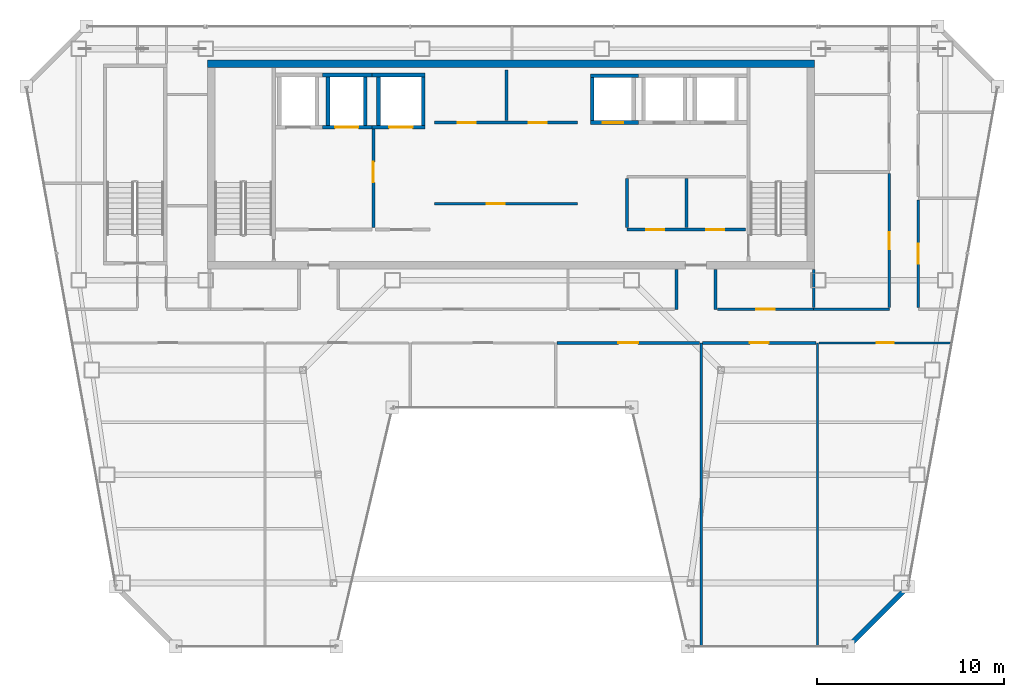
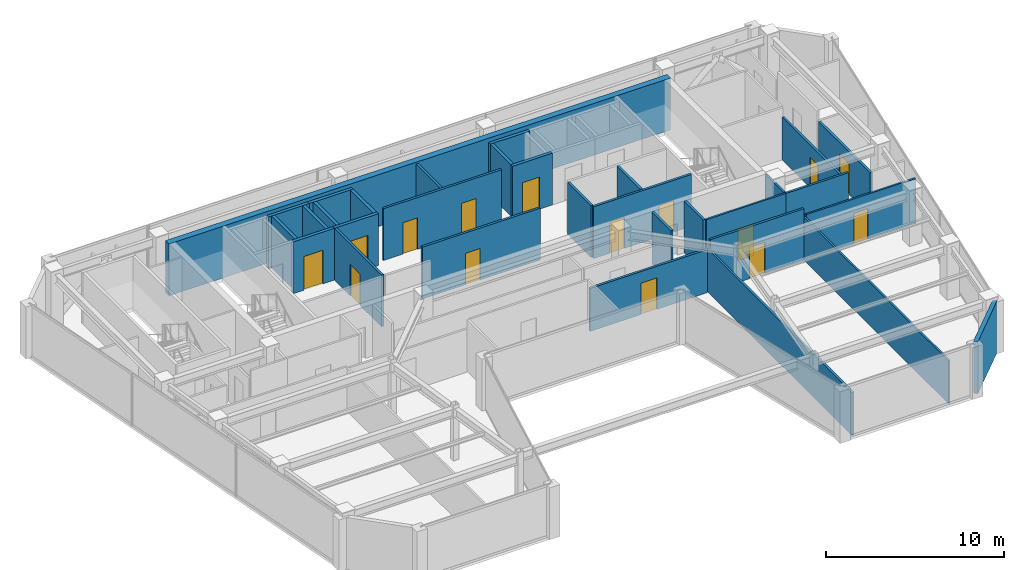
# One storey, part 28 of 32: 32 walls, 15 doors, 15 openings.
"""IFC4 building model written with IfcOpenShell, lengths in metres."""

from ifc_helpers import new_model, si_unit, direction, frame, frame_2d, origin, place, context, subcontext, project, spatial, rectangle, extrude, material, layer, layer_set, type_object, element, fill, save


model = new_model("IFC4")

# Units and contexts
model_context = context("Model", 3, precision=1e-05, world=origin(), true_north=direction((0.0, 1.0)))
body_context = subcontext(model_context, "Body", "Model", "MODEL_VIEW")
ifc_project = project(units=[si_unit("LENGTHUNIT", "METRE"), si_unit("AREAUNIT", "SQUARE_METRE"), si_unit("VOLUMEUNIT", "CUBIC_METRE"), si_unit("PLANEANGLEUNIT", "RADIAN"), si_unit("MASSUNIT", "GRAM", prefix="KILO")], contexts=[model_context])

# Site, building, storey
site_placement = place(None, origin())
site = spatial("IfcSite", under=ifc_project, at=site_placement, CompositionType="ELEMENT")
building_placement = place(site_placement, origin())
building = spatial("IfcBuilding", under=site, at=building_placement, Name="Saevonmaru Cultural Tower", CompositionType="ELEMENT")
storey_placement = place(building_placement, frame((0.0, 0.0, 257.199951171875)))
storey = spatial("IfcBuildingStorey", under=building, at=storey_placement, Name="L60", CompositionType="ELEMENT", Elevation=257.199951171875)

# Wall
ifc_material_1 = material(Name="Concrete C50/60", Category="concrete")
ifc_layer_1 = layer(ifc_material_1, 0.39990234375, Name="Concrete C50/60")
ifc_layer_set_1 = layer_set([ifc_layer_1], Name="Concrete C50/60")
wall_type_1 = type_object("IfcWallType", Name="WL-CORE-400", PredefinedType="SHEAR", material=ifc_layer_set_1)
wall_1_placement = place(storey_placement, frame((13.699951171875, 54.0, 0.0), z_axis=(0.0, 0.0, 1.0), x_axis=(1.0, 0.0, 0.0)))
element("IfcWall", 1, at=wall_1_placement, inside=storey, type_object=wall_type_1, Name="L60 Tower RC core shear wall N", PredefinedType="SHEAR", context=body_context, shape_type="SweptSolid", body=[
    extrude(rectangle(XDim=32.5, YDim=0.39990234375, at=frame_2d((16.25, 0.0))), origin(), (0.0, 0.0, 1.0), 3.550048828125),
])

# Wall, opening, door
ifc_material_2 = material(Name="Gypsum Fireboard Partition", Category="gypsum")
ifc_layer_2 = layer(ifc_material_2, 0.14990234375, Name="Gypsum Fireboard Partition")
ifc_layer_set_2 = layer_set([ifc_layer_2], Name="Gypsum Fireboard Partition")
wall_type_2 = type_object("IfcWallType", Name="WL-CORE-PART-150", PredefinedType="PARTITIONING", material=ifc_layer_set_2)
wall_2_placement = place(storey_placement, frame((22.580078125, 50.550048828125, 0.0), z_axis=(0.0, 0.0, 1.0), x_axis=(0.0, -1.0, 0.0)))
wall_2 = element("IfcWall", 2, at=wall_2_placement, inside=storey, type_object=wall_type_2, Name="L60 Firefighting Lift Lobby East Wall", PredefinedType="PARTITIONING", context=body_context, shape_type="SweptSolid", body=[
    extrude(rectangle(XDim=5.330078125, YDim=0.14990234375, at=frame_2d((2.6650390625, 0.0))), origin(), (0.0, 0.0, 1.0), 3.550048828125),
])
opening_1_placement = place(wall_2_placement, frame((1.800048828125, 0.0, 0.0)))
opening_1 = element("IfcOpeningElement", 3, at=opening_1_placement, cuts=wall_2, Name="Opening FD-2", PredefinedType="OPENING", context=body_context, shape_type="SweptSolid", body=[
    extrude(rectangle(XDim=1.10009765625, YDim=2.14990234375, at=frame_2d((0.550048828125, 1.074951171875))), frame((0.0, 0.0849609375, 0.0), z_axis=(0.0, -1.0, 0.0), x_axis=(1.0, 0.0, 0.0)), (0.0, 0.0, 1.0), 0.169921875),
])
ifc_material_3 = material(Name="Satin Bronze Anodised Aluminium", Category="aluminium")
door_type_1 = type_object("IfcDoorType", Name="DR-FD60-1100", OperationType="SINGLE_SWING_LEFT", PredefinedType="DOOR", material=ifc_material_3)
door_1_placement = place(opening_1_placement, origin())
door_1 = element("IfcDoor", 4, at=door_1_placement, inside=storey, type_object=door_type_1, Name="L60 Firefighting Lift Lobby East Door", OperationType="SINGLE_SWING_LEFT", OverallHeight=2.14990234375, OverallWidth=1.10009765625, PredefinedType="DOOR", context=body_context, shape_type="SweptSolid", body=[
    extrude(rectangle(XDim=1.10009765625, YDim=2.14990234375, at=frame_2d((0.550048828125, 1.074951171875))), frame((0.0, 0.02490234375, 0.0), z_axis=(0.0, -1.0, 0.0), x_axis=(1.0, 0.0, 0.0)), (0.0, 0.0, 1.0), 0.050048828125),
])
fill(opening_1, door_1)

# Wall, openings, doors
wall_3_placement = place(storey_placement, frame((36.14990234375, 45.1201171875, 0.0), z_axis=(0.0, 0.0, 1.0), x_axis=(1.0, 0.0, 0.0)))
wall_3 = element("IfcWall", 5, at=wall_3_placement, inside=storey, type_object=wall_type_2, Name="L60 Core Cluster South Wall", PredefinedType="PARTITIONING", context=body_context, shape_type="SweptSolid", body=[
    extrude(rectangle(XDim=6.35009765625, YDim=0.14990234375, at=frame_2d((3.175048828125, 0.0))), origin(), (0.0, 0.0, 1.0), 3.550048828125),
])
opening_2_placement = place(wall_3_placement, frame((1.050048828125, 0.0, 0.0)))
opening_2 = element("IfcOpeningElement", 6, at=opening_2_placement, cuts=wall_3, Name="Opening FD-4", PredefinedType="OPENING", context=body_context, shape_type="SweptSolid", body=[
    extrude(rectangle(XDim=0.949951171875, YDim=2.14990234375, at=frame_2d((0.47509765625, 1.074951171875))), frame((0.0, 0.0849609375, 0.0), z_axis=(0.0, -1.0, 0.0), x_axis=(1.0, 0.0, 0.0)), (0.0, 0.0, 1.0), 0.169921875),
])
opening_3_placement = place(wall_3_placement, frame((4.25, 0.0, 0.0)))
opening_3 = element("IfcOpeningElement", 7, at=opening_3_placement, cuts=wall_3, Name="Opening FD-4", PredefinedType="OPENING", context=body_context, shape_type="SweptSolid", body=[
    extrude(rectangle(XDim=0.949951171875, YDim=2.14990234375, at=frame_2d((0.47509765625, 1.074951171875))), frame((0.0, 0.0849609375, 0.0), z_axis=(0.0, -1.0, 0.0), x_axis=(1.0, 0.0, 0.0)), (0.0, 0.0, 1.0), 0.169921875),
])
door_type_2 = type_object("IfcDoorType", Name="DR-FD60-950", OperationType="SINGLE_SWING_LEFT", PredefinedType="DOOR", material=ifc_material_3)
door_2_placement = place(opening_2_placement, origin())
door_2 = element("IfcDoor", 8, at=door_2_placement, inside=storey, type_object=door_type_2, Name="L60 BMS Control Room Door", OperationType="SINGLE_SWING_LEFT", OverallHeight=2.14990234375, OverallWidth=0.949951171875, PredefinedType="DOOR", context=body_context, shape_type="SweptSolid", body=[
    extrude(rectangle(XDim=0.949951171875, YDim=2.14990234375, at=frame_2d((0.47509765625, 1.074951171875))), frame((0.0, 0.02490234375, 0.0), z_axis=(0.0, -1.0, 0.0), x_axis=(1.0, 0.0, 0.0)), (0.0, 0.0, 1.0), 0.050048828125),
])
fill(opening_2, door_2)
door_3_placement = place(opening_3_placement, origin())
door_3 = element("IfcDoor", 9, at=door_3_placement, inside=storey, type_object=door_type_2, Name="L60 Fibre Node Plant Door", OperationType="SINGLE_SWING_LEFT", OverallHeight=2.14990234375, OverallWidth=0.949951171875, PredefinedType="DOOR", context=body_context, shape_type="SweptSolid", body=[
    extrude(rectangle(XDim=0.949951171875, YDim=2.14990234375, at=frame_2d((0.47509765625, 1.074951171875))), frame((0.0, 0.02490234375, 0.0), z_axis=(0.0, -1.0, 0.0), x_axis=(1.0, 0.0, 0.0)), (0.0, 0.0, 1.0), 0.050048828125),
])
fill(opening_3, door_3)

# Walls
for number, where, z_axis, x_axis, name in (
    (10, (36.14990234375, 45.219970703125, 0.0), (0.0, 0.0, 1.0), (0.0, 1.0, 0.0), "L60 Core Cluster West Wall"),
    (11, (39.35009765625, 45.219970703125, 0.0), (0.0, 0.0, 1.0), (0.0, 1.0, 0.0), "L60 Core Cluster Inner Split"),
):
    element("IfcWall", number, at=place(storey_placement, frame(where, z_axis=z_axis, x_axis=x_axis)), inside=storey, type_object=wall_type_2, Name=name, PredefinedType="PARTITIONING", context=body_context, shape_type="SweptSolid", body=[
        extrude(rectangle(XDim=2.630126953125, YDim=0.14990234375, at=frame_2d((1.31494140625, 0.0))), origin(), (0.0, 0.0, 1.0), 3.550048828125),
    ])

# Wall, openings, doors
wall_4_placement = place(storey_placement, frame((25.85009765625, 50.85009765625, 0.0), z_axis=(0.0, 0.0, 1.0), x_axis=(1.0, 0.0, 0.0)))
wall_4 = element("IfcWall", 12, at=wall_4_placement, inside=storey, type_object=wall_type_2, Name="L60 Reclaimed Core Room South Wall", PredefinedType="PARTITIONING", context=body_context, shape_type="SweptSolid", body=[
    extrude(rectangle(XDim=7.64990234375, YDim=0.14990234375, at=frame_2d((3.824951171875, 0.0))), origin(), (0.0, 0.0, 1.0), 3.550048828125),
])
opening_4_placement = place(wall_4_placement, frame((1.25, 0.0, 0.0)))
opening_4 = element("IfcOpeningElement", 13, at=opening_4_placement, cuts=wall_4, Name="Opening FD-4", PredefinedType="OPENING", context=body_context, shape_type="SweptSolid", body=[
    extrude(rectangle(XDim=0.949951171875, YDim=2.14990234375, at=frame_2d((0.47509765625, 1.074951171875))), frame((0.0, 0.0849609375, 0.0), z_axis=(0.0, -1.0, 0.0), x_axis=(1.0, 0.0, 0.0)), (0.0, 0.0, 1.0), 0.169921875),
])
opening_5_placement = place(wall_4_placement, frame((5.050048828125, 0.0, 0.0)))
opening_5 = element("IfcOpeningElement", 14, at=opening_5_placement, cuts=wall_4, Name="Opening FD-4", PredefinedType="OPENING", context=body_context, shape_type="SweptSolid", body=[
    extrude(rectangle(XDim=0.949951171875, YDim=2.14990234375, at=frame_2d((0.47509765625, 1.074951171875))), frame((0.0, 0.0849609375, 0.0), z_axis=(0.0, -1.0, 0.0), x_axis=(1.0, 0.0, 0.0)), (0.0, 0.0, 1.0), 0.169921875),
])
door_4_placement = place(opening_4_placement, origin())
door_4 = element("IfcDoor", 15, at=door_4_placement, inside=storey, type_object=door_type_2, Name="L60 Reclaimed Archive Vault Door", OperationType="SINGLE_SWING_LEFT", OverallHeight=2.14990234375, OverallWidth=0.949951171875, PredefinedType="DOOR", context=body_context, shape_type="SweptSolid", body=[
    extrude(rectangle(XDim=0.949951171875, YDim=2.14990234375, at=frame_2d((0.47509765625, 1.074951171875))), frame((0.0, 0.02490234375, 0.0), z_axis=(0.0, -1.0, 0.0), x_axis=(1.0, 0.0, 0.0)), (0.0, 0.0, 1.0), 0.050048828125),
])
fill(opening_4, door_4)
door_5_placement = place(opening_5_placement, origin())
door_5 = element("IfcDoor", 16, at=door_5_placement, inside=storey, type_object=door_type_2, Name="L60 Reclaimed Conservation Storage Door", OperationType="SINGLE_SWING_LEFT", OverallHeight=2.14990234375, OverallWidth=0.949951171875, PredefinedType="DOOR", context=body_context, shape_type="SweptSolid", body=[
    extrude(rectangle(XDim=0.949951171875, YDim=2.14990234375, at=frame_2d((0.47509765625, 1.074951171875))), frame((0.0, 0.02490234375, 0.0), z_axis=(0.0, -1.0, 0.0), x_axis=(1.0, 0.0, 0.0)), (0.0, 0.0, 1.0), 0.050048828125),
])
fill(opening_5, door_5)

# Wall
wall_5_placement = place(storey_placement, frame((29.699951171875, 50.949951171875, 0.0), z_axis=(0.0, 0.0, 1.0), x_axis=(0.0, 1.0, 0.0)))
element("IfcWall", 17, at=wall_5_placement, inside=storey, type_object=wall_type_2, Name="L60 Reclaimed Vault Split", PredefinedType="PARTITIONING", context=body_context, shape_type="SweptSolid", body=[
    extrude(rectangle(XDim=2.699951171875, YDim=0.14990234375, at=frame_2d((1.35009765625, 0.0))), origin(), (0.0, 0.0, 1.0), 3.550048828125),
])

# Wall, opening, door
wall_6_placement = place(storey_placement, frame((25.85009765625, 46.5, 0.0), z_axis=(0.0, 0.0, 1.0), x_axis=(1.0, 0.0, 0.0)))
wall_6 = element("IfcWall", 18, at=wall_6_placement, inside=storey, type_object=wall_type_2, Name="L60 Reclaimed Mid-Shaft Wall", PredefinedType="PARTITIONING", context=body_context, shape_type="SweptSolid", body=[
    extrude(rectangle(XDim=7.64990234375, YDim=0.14990234375, at=frame_2d((3.824951171875, 0.0))), origin(), (0.0, 0.0, 1.0), 3.550048828125),
])
opening_6_placement = place(wall_6_placement, frame((2.800048828125, 0.0, 0.0)))
opening_6 = element("IfcOpeningElement", 19, at=opening_6_placement, cuts=wall_6, Name="Opening FD-4", PredefinedType="OPENING", context=body_context, shape_type="SweptSolid", body=[
    extrude(rectangle(XDim=0.949951171875, YDim=2.14990234375, at=frame_2d((0.47509765625, 1.074951171875))), frame((0.0, 0.0849609375, 0.0), z_axis=(0.0, -1.0, 0.0), x_axis=(1.0, 0.0, 0.0)), (0.0, 0.0, 1.0), 0.169921875),
])
door_6_placement = place(opening_6_placement, origin())
door_6 = element("IfcDoor", 20, at=door_6_placement, inside=storey, type_object=door_type_2, Name="L60 Reclaimed Manuscript Storage Door", OperationType="SINGLE_SWING_LEFT", OverallHeight=2.14990234375, OverallWidth=0.949951171875, PredefinedType="DOOR", context=body_context, shape_type="SweptSolid", body=[
    extrude(rectangle(XDim=0.949951171875, YDim=2.14990234375, at=frame_2d((0.47509765625, 1.074951171875))), frame((0.0, 0.02490234375, 0.0), z_axis=(0.0, -1.0, 0.0), x_axis=(1.0, 0.0, 0.0)), (0.0, 0.0, 1.0), 0.050048828125),
])
fill(opening_6, door_6)

# Wall
ifc_material_4 = material(Name="Granite-Clad Precast Concrete C40/50", Category="masonry")
ifc_layer_3 = layer(ifc_material_4, 0.260009765625, Name="Granite-Clad Precast Concrete C40/50")
ifc_layer_set_3 = layer_set([ifc_layer_3], Name="Granite-Clad Precast Concrete C40/50")
wall_type_3 = type_object("IfcWallType", Name="WL-EXT-SPANDREL-260", PredefinedType="STANDARD", material=ifc_layer_set_3)
wall_7_placement = place(storey_placement, frame((48.117431640625, 22.9130859375, 0.0), z_axis=(0.0, 0.0, 1.0), x_axis=(0.707106781187, 0.707106781187, 0.0)))
element("IfcWall", 21, at=wall_7_placement, inside=storey, type_object=wall_type_3, Name="L60 Chamfer Corner Spandrel Wall E7", PredefinedType="STANDARD", context=body_context, shape_type="SweptSolid", body=[
    extrude(rectangle(XDim=4.205810546875, YDim=0.260009765625, at=frame_2d((2.10302734375, 0.0))), origin(), (0.0, 0.0, 1.0), 3.550048828125),
])

# Wall, opening, door
ifc_layer_4 = layer(ifc_material_2, 0.14990234375, Name="Gypsum Fireboard Partition")
ifc_layer_set_4 = layer_set([ifc_layer_4], Name="Gypsum Fireboard Partition")
wall_type_4 = type_object("IfcWallType", Name="WL-PART-FIRE-150", PredefinedType="PARTITIONING", material=ifc_layer_set_4)
wall_8_placement = place(storey_placement, frame((51.75, 40.9375, 0.0), z_axis=(0.0, 0.0, 1.0), x_axis=(0.0, 1.0, 0.0)))
wall_8 = element("IfcWall", 22, at=wall_8_placement, inside=storey, type_object=wall_type_4, Name="L60 Skyline Exhibition Gallery Corridor Wall", PredefinedType="PARTITIONING", context=body_context, shape_type="SweptSolid", body=[
    extrude(rectangle(XDim=5.77490234375, YDim=0.14990234375, at=frame_2d((2.887451171875, 0.0))), origin(), (0.0, 0.0, 1.0), 2.947021484375),
])
opening_7_placement = place(wall_8_placement, frame((2.362060546875, 0.0, 0.0)))
opening_7 = element("IfcOpeningElement", 23, at=opening_7_placement, cuts=wall_8, Name="Opening ID-1", PredefinedType="OPENING", context=body_context, shape_type="SweptSolid", body=[
    extrude(rectangle(XDim=1.050048828125, YDim=2.14990234375, at=frame_2d((0.52490234375, 1.074951171875))), frame((0.0, 0.0849609375, 0.0), z_axis=(0.0, -1.0, 0.0), x_axis=(1.0, 0.0, 0.0)), (0.0, 0.0, 1.0), 0.169921875),
])
door_type_3 = type_object("IfcDoorType", Name="DR-INT-1050", OperationType="SINGLE_SWING_LEFT", PredefinedType="DOOR", material=ifc_material_3)
door_7_placement = place(opening_7_placement, origin())
door_7 = element("IfcDoor", 24, at=door_7_placement, inside=storey, type_object=door_type_3, Name="L60 Skyline Exhibition Gallery Door", OperationType="SINGLE_SWING_LEFT", OverallHeight=2.14990234375, OverallWidth=1.050048828125, PredefinedType="DOOR", context=body_context, shape_type="SweptSolid", body=[
    extrude(rectangle(XDim=1.050048828125, YDim=2.14990234375, at=frame_2d((0.52490234375, 1.074951171875))), frame((0.0, 0.02490234375, 0.0), z_axis=(0.0, -1.0, 0.0), x_axis=(1.0, 0.0, 0.0)), (0.0, 0.0, 1.0), 0.050048828125),
])
fill(opening_7, door_7)

# Walls
for number, where, z_axis, x_axis, name in (
    (25, (38.800048828125, 40.85009765625, 0.0), (0.0, 0.0, 1.0), (0.0, 1.0, 0.0), "L60 Core Portal Side Wall E1"),
    (26, (40.89990234375, 40.85009765625, 0.0), (0.0, 0.0, 1.0), (0.0, 1.0, 0.0), "L60 Core Portal Side Wall E2"),
):
    element("IfcWall", number, at=place(storey_placement, frame(where, z_axis=z_axis, x_axis=x_axis)), inside=storey, type_object=wall_type_4, Name=name, PredefinedType="PARTITIONING", context=body_context, shape_type="SweptSolid", body=[
        extrude(rectangle(XDim=2.1298828125, YDim=0.14990234375, at=frame_2d((1.06494140625, 0.0))), origin(), (0.0, 0.0, 1.0), 3.550048828125),
    ])

# Wall, opening, door
wall_9_placement = place(storey_placement, frame((32.419921875, 39.050048828125, 0.0), z_axis=(0.0, 0.0, 1.0), x_axis=(1.0, 0.0, 0.0)))
wall_9 = element("IfcWall", 27, at=wall_9_placement, inside=storey, type_object=wall_type_4, Name="L60 Skyline Exhibition Gallery Corridor Wall", PredefinedType="PARTITIONING", context=body_context, shape_type="SweptSolid", body=[
    extrude(rectangle(XDim=7.612548828125, YDim=0.14990234375, at=frame_2d((3.80615234375, 0.0))), origin(), (0.0, 0.0, 1.0), 2.947021484375),
])
opening_8_placement = place(wall_9_placement, frame((3.281005859375, 0.0, 0.0)))
opening_8 = element("IfcOpeningElement", 28, at=opening_8_placement, cuts=wall_9, Name="Opening ID-1", PredefinedType="OPENING", context=body_context, shape_type="SweptSolid", body=[
    extrude(rectangle(XDim=1.050048828125, YDim=2.14990234375, at=frame_2d((0.52490234375, 1.074951171875))), frame((0.0, 0.0849609375, 0.0), z_axis=(0.0, -1.0, 0.0), x_axis=(1.0, 0.0, 0.0)), (0.0, 0.0, 1.0), 0.169921875),
])
door_8_placement = place(opening_8_placement, origin())
door_8 = element("IfcDoor", 29, at=door_8_placement, inside=storey, type_object=door_type_3, Name="L60 Skyline Exhibition Gallery Door", OperationType="SINGLE_SWING_LEFT", OverallHeight=2.14990234375, OverallWidth=1.050048828125, PredefinedType="DOOR", context=body_context, shape_type="SweptSolid", body=[
    extrude(rectangle(XDim=1.050048828125, YDim=2.14990234375, at=frame_2d((0.52490234375, 1.074951171875))), frame((0.0, 0.02490234375, 0.0), z_axis=(0.0, -1.0, 0.0), x_axis=(1.0, 0.0, 0.0)), (0.0, 0.0, 1.0), 0.050048828125),
])
fill(opening_8, door_8)

wall_10_placement = place(storey_placement, frame((40.20751953125, 39.050048828125, 0.0), z_axis=(0.0, 0.0, 1.0), x_axis=(1.0, 0.0, 0.0)))
wall_10 = element("IfcWall", 30, at=wall_10_placement, inside=storey, type_object=wall_type_4, Name="L60 Acoustic Chamber Auditorium Corridor Wall", PredefinedType="PARTITIONING", context=body_context, shape_type="SweptSolid", body=[
    extrude(rectangle(XDim=6.0625, YDim=0.14990234375, at=frame_2d((3.03125, 0.0))), origin(), (0.0, 0.0, 1.0), 3.550048828125),
])
opening_9_placement = place(wall_10_placement, frame((2.531005859375, 0.0, 0.0)))
opening_9 = element("IfcOpeningElement", 31, at=opening_9_placement, cuts=wall_10, Name="Opening ID-1B", PredefinedType="OPENING", context=body_context, shape_type="SweptSolid", body=[
    extrude(rectangle(XDim=1.0, YDim=2.14990234375, at=frame_2d((0.5, 1.074951171875))), frame((0.0, 0.0849609375, 0.0), z_axis=(0.0, -1.0, 0.0), x_axis=(1.0, 0.0, 0.0)), (0.0, 0.0, 1.0), 0.169921875),
])
ifc_material_5 = material(Name="Acoustic Stained Oak Timber", Category="wood")
door_type_4 = type_object("IfcDoorType", Name="DR-INT-1000", OperationType="SINGLE_SWING_RIGHT", PredefinedType="DOOR", material=ifc_material_5)
door_9_placement = place(opening_9_placement, origin())
door_9 = element("IfcDoor", 32, at=door_9_placement, inside=storey, type_object=door_type_4, Name="L60 Acoustic Chamber Auditorium Door", OperationType="SINGLE_SWING_RIGHT", OverallHeight=2.14990234375, OverallWidth=1.0, PredefinedType="DOOR", context=body_context, shape_type="SweptSolid", body=[
    extrude(rectangle(XDim=1.0, YDim=2.14990234375, at=frame_2d((0.5, 1.074951171875))), frame((0.0, 0.02490234375, 0.0), z_axis=(0.0, -1.0, 0.0), x_axis=(1.0, 0.0, 0.0)), (0.0, 0.0, 1.0), 0.050048828125),
])
fill(opening_9, door_9)

ifc_layer_5 = layer(ifc_material_2, 0.1201171875, Name="Gypsum Fireboard Partition")
ifc_layer_set_5 = layer_set([ifc_layer_5], Name="Gypsum Fireboard Partition")
wall_type_5 = type_object("IfcWallType", Name="WL-PART-GYP-120", PredefinedType="PARTITIONING", material=ifc_layer_set_5)
wall_11_placement = place(storey_placement, frame((40.9951171875, 40.85009765625, 0.0), z_axis=(0.0, 0.0, 1.0), x_axis=(1.0, 0.0, 0.0)))
wall_11 = element("IfcWall", 33, at=wall_11_placement, inside=storey, type_object=wall_type_5, Name="L60 Terrace Overlook Cafe Corridor Wall", PredefinedType="PARTITIONING", context=body_context, shape_type="SweptSolid", body=[
    extrude(rectangle(XDim=5.15478515625, YDim=0.1201171875, at=frame_2d((2.577392578125, 0.0))), origin(), (0.0, 0.0, 1.0), 3.550048828125),
])
opening_10_placement = place(wall_11_placement, frame((2.077880859375, 0.0, 0.0)))
opening_10 = element("IfcOpeningElement", 34, at=opening_10_placement, cuts=wall_11, Name="Opening ID-1B", PredefinedType="OPENING", context=body_context, shape_type="SweptSolid", body=[
    extrude(rectangle(XDim=1.0, YDim=2.14990234375, at=frame_2d((0.5, 1.074951171875))), frame((0.0, 0.070068359375, 0.0), z_axis=(0.0, -1.0, 0.0), x_axis=(1.0, 0.0, 0.0)), (0.0, 0.0, 1.0), 0.14013671875),
])
door_10_placement = place(opening_10_placement, origin())
door_10 = element("IfcDoor", 35, at=door_10_placement, inside=storey, type_object=door_type_4, Name="L60 Terrace Overlook Cafe Door", OperationType="SINGLE_SWING_LEFT", OverallHeight=2.14990234375, OverallWidth=1.0, PredefinedType="DOOR", context=body_context, shape_type="SweptSolid", body=[
    extrude(rectangle(XDim=1.0, YDim=2.14990234375, at=frame_2d((0.5, 1.074951171875))), frame((0.0, 0.02490234375, 0.0), z_axis=(0.0, -1.0, 0.0), x_axis=(1.0, 0.0, 0.0)), (0.0, 0.0, 1.0), 0.050048828125),
])
fill(opening_10, door_10)

# Wall
wall_12_placement = place(storey_placement, frame((46.35009765625, 22.804931640625, 0.0), z_axis=(0.0, 0.0, 1.0), x_axis=(0.0, 1.0, 0.0)))
element("IfcWall", 36, at=wall_12_placement, inside=storey, type_object=wall_type_5, Name="L60 Observatory Bay Divider 5", PredefinedType="PARTITIONING", context=body_context, shape_type="SweptSolid", body=[
    extrude(rectangle(XDim=16.2451171875, YDim=0.1201171875, at=frame_2d((8.12255859375, 0.0))), origin(), (0.0, 0.0, 1.0), 2.947021484375),
])

# Wall, opening, door
wall_13_placement = place(storey_placement, frame((46.429931640625, 39.050048828125, 0.0), z_axis=(0.0, 0.0, 1.0), x_axis=(1.0, 0.0, 0.0)))
wall_13 = element("IfcWall", 37, at=wall_13_placement, inside=storey, type_object=wall_type_5, Name="L60 Visiting Fellows Office Corridor Wall", PredefinedType="PARTITIONING", context=body_context, shape_type="SweptSolid", body=[
    extrude(rectangle(XDim=7.1044921875, YDim=0.1201171875, at=frame_2d((3.55224609375, 0.0))), origin(), (0.0, 0.0, 1.0), 3.0849609375),
])
opening_11_placement = place(wall_13_placement, frame((3.10205078125, 0.0, 0.0)))
opening_11 = element("IfcOpeningElement", 38, at=opening_11_placement, cuts=wall_13, Name="Opening ID-2", PredefinedType="OPENING", context=body_context, shape_type="SweptSolid", body=[
    extrude(rectangle(XDim=0.89990234375, YDim=2.10009765625, at=frame_2d((0.449951171875, 1.050048828125))), frame((0.0, 0.070068359375, 0.0), z_axis=(0.0, -1.0, 0.0), x_axis=(1.0, 0.0, 0.0)), (0.0, 0.0, 1.0), 0.14013671875),
])
door_type_5 = type_object("IfcDoorType", Name="DR-INT-900", OperationType="SINGLE_SWING_RIGHT", PredefinedType="DOOR", material=ifc_material_5)
door_11_placement = place(opening_11_placement, origin())
door_11 = element("IfcDoor", 39, at=door_11_placement, inside=storey, type_object=door_type_5, Name="L60 Visiting Fellows Office Door", OperationType="SINGLE_SWING_LEFT", OverallHeight=2.10009765625, OverallWidth=0.89990234375, PredefinedType="DOOR", context=body_context, shape_type="SweptSolid", body=[
    extrude(rectangle(XDim=0.89990234375, YDim=2.10009765625, at=frame_2d((0.449951171875, 1.050048828125))), frame((0.0, 0.02490234375, 0.0), z_axis=(0.0, -1.0, 0.0), x_axis=(1.0, 0.0, 0.0)), (0.0, 0.0, 1.0), 0.050048828125),
])
fill(opening_11, door_11)

# Walls
ifc_layer_6 = layer(ifc_material_2, 0.135009765625, Name="Gypsum Fireboard Partition")
ifc_layer_set_6 = layer_set([ifc_layer_6], Name="Gypsum Fireboard Partition")
wall_type_6 = type_object("IfcWallType", Name="WL-PART-GYP-135", PredefinedType="PARTITIONING", material=ifc_layer_set_6)
wall_14_placement = place(storey_placement, frame((40.1201171875, 22.804931640625, 0.0), z_axis=(0.0, 0.0, 1.0), x_axis=(0.0, 1.0, 0.0)))
element("IfcWall", 40, at=wall_14_placement, inside=storey, type_object=wall_type_6, Name="L60 Observatory Bay Divider 4", PredefinedType="PARTITIONING", context=body_context, shape_type="SweptSolid", body=[
    extrude(rectangle(XDim=16.2451171875, YDim=0.135009765625, at=frame_2d((8.12255859375, 0.0))), origin(), (0.0, 0.0, 1.0), 2.947021484375),
])
ifc_layer_7 = layer(ifc_material_2, 0.139892578125, Name="Gypsum Fireboard Partition")
ifc_layer_set_7 = layer_set([ifc_layer_7], Name="Gypsum Fireboard Partition")
wall_type_7 = type_object("IfcWallType", Name="WL-PART-WET-140", PredefinedType="PARTITIONING", material=ifc_layer_set_7)
wall_15_placement = place(storey_placement, frame((46.14990234375, 40.85009765625, 0.0), z_axis=(0.0, 0.0, 1.0), x_axis=(1.0, 0.0, 0.0)))
element("IfcWall", 41, at=wall_15_placement, inside=storey, type_object=wall_type_7, Name="L60 Washroom South Wall", PredefinedType="PARTITIONING", context=body_context, shape_type="SweptSolid", body=[
    extrude(rectangle(XDim=4.050048828125, YDim=0.139892578125, at=frame_2d((2.02490234375, 0.0))), origin(), (0.0, 0.0, 1.0), 3.550048828125),
])
wall_16_placement = place(storey_placement, frame((46.14990234375, 40.93994140625, 0.0), z_axis=(0.0, 0.0, 1.0), x_axis=(0.0, 1.0, 0.0)))
element("IfcWall", 42, at=wall_16_placement, inside=storey, type_object=wall_type_7, Name="L60 Washroom South-West Return", PredefinedType="PARTITIONING", context=body_context, shape_type="SweptSolid", body=[
    extrude(rectangle(XDim=2.0400390625, YDim=0.139892578125, at=frame_2d((1.02001953125, 0.0))), origin(), (0.0, 0.0, 1.0), 3.550048828125),
])

# Wall, opening, door
wall_17_placement = place(storey_placement, frame((50.199951171875, 40.93994140625, 0.0), z_axis=(0.0, 0.0, 1.0), x_axis=(0.0, 1.0, 0.0)))
wall_17 = element("IfcWall", 43, at=wall_17_placement, inside=storey, type_object=wall_type_7, Name="L60 Washroom Corridor Wall", PredefinedType="PARTITIONING", context=body_context, shape_type="SweptSolid", body=[
    extrude(rectangle(XDim=7.170166015625, YDim=0.139892578125, at=frame_2d((3.5849609375, 0.0))), origin(), (0.0, 0.0, 1.0), 2.947021484375),
])
opening_12_placement = place(wall_17_placement, frame((3.135009765625, 0.0, 0.0)))
opening_12 = element("IfcOpeningElement", 44, at=opening_12_placement, cuts=wall_17, Name="Opening ID-2", PredefinedType="OPENING", context=body_context, shape_type="SweptSolid", body=[
    extrude(rectangle(XDim=0.89990234375, YDim=2.10009765625, at=frame_2d((0.449951171875, 1.050048828125))), frame((0.0, 0.080078125, 0.0), z_axis=(0.0, -1.0, 0.0), x_axis=(1.0, 0.0, 0.0)), (0.0, 0.0, 1.0), 0.159912109375),
])
door_12_placement = place(opening_12_placement, origin())
door_12 = element("IfcDoor", 45, at=door_12_placement, inside=storey, type_object=door_type_5, Name="L60 Public Accessible Washrooms Door", OperationType="SINGLE_SWING_RIGHT", OverallHeight=2.10009765625, OverallWidth=0.89990234375, PredefinedType="DOOR", context=body_context, shape_type="SweptSolid", body=[
    extrude(rectangle(XDim=0.89990234375, YDim=2.10009765625, at=frame_2d((0.449951171875, 1.050048828125))), frame((0.0, 0.02490234375, 0.0), z_axis=(0.0, -1.0, 0.0), x_axis=(1.0, 0.0, 0.0)), (0.0, 0.0, 1.0), 0.050048828125),
])
fill(opening_12, door_12)

ifc_material_6 = material(Name="Concrete C40/50", Category="concrete")
ifc_layer_8 = layer(ifc_material_6, 0.199951171875, Name="Concrete C40/50")
ifc_layer_set_8 = layer_set([ifc_layer_8], Name="Concrete C40/50")
wall_type_8 = type_object("IfcWallType", Name="WL-SHAFT-200", PredefinedType="SHEAR", material=ifc_layer_set_8)
wall_18_placement = place(storey_placement, frame((19.85009765625, 50.60009765625, 0.0), z_axis=(0.0, 0.0, 1.0), x_axis=(1.0, 0.0, 0.0)))
wall_18 = element("IfcWall", 46, at=wall_18_placement, inside=storey, type_object=wall_type_8, Name="L60 Lift FFL-2 Hoistway Wall S", PredefinedType="SHEAR", context=body_context, shape_type="SweptSolid", body=[
    extrude(rectangle(XDim=2.64990234375, YDim=0.199951171875, at=frame_2d((1.324951171875, 0.0))), origin(), (0.0, 0.0, 1.0), 3.550048828125),
])
opening_13_placement = place(wall_18_placement, frame((0.675048828125, 0.0, 0.0)))
opening_13 = element("IfcOpeningElement", 47, at=opening_13_placement, cuts=wall_18, Name="Opening LD-2", PredefinedType="OPENING", context=body_context, shape_type="SweptSolid", body=[
    extrude(rectangle(XDim=1.25, YDim=2.300048828125, at=frame_2d((0.625, 1.14990234375))), frame((0.0, 0.10986328125, 0.0), z_axis=(0.0, -1.0, 0.0), x_axis=(1.0, 0.0, 0.0)), (0.0, 0.0, 1.0), 0.219970703125),
])
ifc_material_7 = material(Name="Stainless Steel 316", Category="steel")
door_type_6 = type_object("IfcDoorType", Name="DR-LIFT-1250", OperationType="SLIDING_TO_LEFT", PredefinedType="DOOR", material=ifc_material_7)
door_13_placement = place(opening_13_placement, origin())
door_13 = element("IfcDoor", 48, at=door_13_placement, inside=storey, type_object=door_type_6, Name="L60 Lift FFL-2 Sliding Landing Door", OperationType="SLIDING_TO_LEFT", OverallHeight=2.300048828125, OverallWidth=1.25, PredefinedType="DOOR", context=body_context, shape_type="SweptSolid", body=[
    extrude(rectangle(XDim=1.25, YDim=2.300048828125, at=frame_2d((0.625, 1.14990234375))), frame((0.0, 0.02490234375, 0.0), z_axis=(0.0, -1.0, 0.0), x_axis=(1.0, 0.0, 0.0)), (0.0, 0.0, 1.0), 0.050048828125),
])
fill(opening_13, door_13)

# Walls
wall_19_placement = place(storey_placement, frame((19.85009765625, 53.39990234375, 0.0), z_axis=(0.0, 0.0, 1.0), x_axis=(1.0, 0.0, 0.0)))
element("IfcWall", 49, at=wall_19_placement, inside=storey, type_object=wall_type_8, Name="L60 Lift FFL-2 Hoistway Wall N", PredefinedType="SHEAR", context=body_context, shape_type="SweptSolid", body=[
    extrude(rectangle(XDim=2.64990234375, YDim=0.199951171875, at=frame_2d((1.324951171875, 0.0))), origin(), (0.0, 0.0, 1.0), 3.550048828125),
])
for number, where, z_axis, x_axis, name in (
    (50, (20.14990234375, 50.699951171875, 0.0), (0.0, 0.0, 1.0), (0.0, 1.0, 0.0), "L60 Lift FFL-2 Hoistway Wall W"),
    (51, (22.14990234375, 50.699951171875, 0.0), (0.0, 0.0, 1.0), (0.0, 1.0, 0.0), "L60 Lift FFL-2 Hoistway Wall E"),
):
    element("IfcWall", number, at=place(storey_placement, frame(where, z_axis=z_axis, x_axis=x_axis)), inside=storey, type_object=wall_type_8, Name=name, PredefinedType="SHEAR", context=body_context, shape_type="SweptSolid", body=[
        extrude(rectangle(XDim=2.60009765625, YDim=0.199951171875, at=frame_2d((1.300048828125, 0.0))), origin(), (0.0, 0.0, 1.0), 3.550048828125),
    ])

# Wall, opening, door
wall_20_placement = place(storey_placement, frame((22.5, 50.60009765625, 0.0), z_axis=(0.0, 0.0, 1.0), x_axis=(1.0, 0.0, 0.0)))
wall_20 = element("IfcWall", 52, at=wall_20_placement, inside=storey, type_object=wall_type_8, Name="L60 Lift GL-1 Hoistway Wall S", PredefinedType="SHEAR", context=body_context, shape_type="SweptSolid", body=[
    extrude(rectangle(XDim=2.85009765625, YDim=0.199951171875, at=frame_2d((1.425048828125, 0.0))), origin(), (0.0, 0.0, 1.0), 3.550048828125),
])
opening_14_placement = place(wall_20_placement, frame((0.925048828125, 0.0, 0.0)))
opening_14 = element("IfcOpeningElement", 53, at=opening_14_placement, cuts=wall_20, Name="Opening LD-2", PredefinedType="OPENING", context=body_context, shape_type="SweptSolid", body=[
    extrude(rectangle(XDim=1.25, YDim=2.300048828125, at=frame_2d((0.625, 1.14990234375))), frame((0.0, 0.10986328125, 0.0), z_axis=(0.0, -1.0, 0.0), x_axis=(1.0, 0.0, 0.0)), (0.0, 0.0, 1.0), 0.219970703125),
])
door_14_placement = place(opening_14_placement, origin())
door_14 = element("IfcDoor", 54, at=door_14_placement, inside=storey, type_object=door_type_6, Name="L60 Lift GL-1 Sliding Landing Door", OperationType="SLIDING_TO_LEFT", OverallHeight=2.300048828125, OverallWidth=1.25, PredefinedType="DOOR", context=body_context, shape_type="SweptSolid", body=[
    extrude(rectangle(XDim=1.25, YDim=2.300048828125, at=frame_2d((0.625, 1.14990234375))), frame((0.0, 0.02490234375, 0.0), z_axis=(0.0, -1.0, 0.0), x_axis=(1.0, 0.0, 0.0)), (0.0, 0.0, 1.0), 0.050048828125),
])
fill(opening_14, door_14)

# Walls
wall_21_placement = place(storey_placement, frame((22.5, 53.39990234375, 0.0), z_axis=(0.0, 0.0, 1.0), x_axis=(1.0, 0.0, 0.0)))
element("IfcWall", 55, at=wall_21_placement, inside=storey, type_object=wall_type_8, Name="L60 Lift GL-1 Hoistway Wall N", PredefinedType="SHEAR", context=body_context, shape_type="SweptSolid", body=[
    extrude(rectangle(XDim=2.85009765625, YDim=0.199951171875, at=frame_2d((1.425048828125, 0.0))), origin(), (0.0, 0.0, 1.0), 3.550048828125),
])
for number, where, z_axis, x_axis, name in (
    (56, (22.85009765625, 50.699951171875, 0.0), (0.0, 0.0, 1.0), (0.0, 1.0, 0.0), "L60 Lift GL-1 Hoistway Wall W"),
    (57, (25.25, 50.699951171875, 0.0), (0.0, 0.0, 1.0), (0.0, 1.0, 0.0), "L60 Lift GL-1 Hoistway Wall E"),
):
    element("IfcWall", number, at=place(storey_placement, frame(where, z_axis=z_axis, x_axis=x_axis)), inside=storey, type_object=wall_type_8, Name=name, PredefinedType="SHEAR", context=body_context, shape_type="SweptSolid", body=[
        extrude(rectangle(XDim=2.60009765625, YDim=0.199951171875, at=frame_2d((1.300048828125, 0.0))), origin(), (0.0, 0.0, 1.0), 3.550048828125),
    ])

# Wall, opening, door
wall_22_placement = place(storey_placement, frame((34.199951171875, 50.85009765625, 0.0), z_axis=(0.0, 0.0, 1.0), x_axis=(1.0, 0.0, 0.0)))
wall_22 = element("IfcWall", 58, at=wall_22_placement, inside=storey, type_object=wall_type_8, Name="L60 Lift PL-H1 Hoistway Wall S", PredefinedType="SHEAR", context=body_context, shape_type="SweptSolid", body=[
    extrude(rectangle(XDim=2.574951171875, YDim=0.199951171875, at=frame_2d((1.28759765625, 0.0))), origin(), (0.0, 0.0, 1.0), 3.550048828125),
])
opening_15_placement = place(wall_22_placement, frame((0.64990234375, 0.0, 0.0)))
opening_15 = element("IfcOpeningElement", 59, at=opening_15_placement, cuts=wall_22, Name="Opening LD-1", PredefinedType="OPENING", context=body_context, shape_type="SweptSolid", body=[
    extrude(rectangle(XDim=1.10009765625, YDim=2.199951171875, at=frame_2d((0.550048828125, 1.10009765625))), frame((0.0, 0.10986328125, 0.0), z_axis=(0.0, -1.0, 0.0), x_axis=(1.0, 0.0, 0.0)), (0.0, 0.0, 1.0), 0.219970703125),
])
ifc_material_8 = material(Name="Satin Bronze Stainless Steel", Category="steel")
door_type_7 = type_object("IfcDoorType", Name="DR-LIFT-1100", OperationType="SLIDING_TO_LEFT", PredefinedType="DOOR", material=ifc_material_8)
door_15_placement = place(opening_15_placement, origin())
door_15 = element("IfcDoor", 60, at=door_15_placement, inside=storey, type_object=door_type_7, Name="L60 Lift PL-H1 Sliding Landing Door", OperationType="SLIDING_TO_LEFT", OverallHeight=2.199951171875, OverallWidth=1.10009765625, PredefinedType="DOOR", context=body_context, shape_type="SweptSolid", body=[
    extrude(rectangle(XDim=1.10009765625, YDim=2.199951171875, at=frame_2d((0.550048828125, 1.10009765625))), frame((0.0, 0.02490234375, 0.0), z_axis=(0.0, -1.0, 0.0), x_axis=(1.0, 0.0, 0.0)), (0.0, 0.0, 1.0), 0.050048828125),
])
fill(opening_15, door_15)

# Walls
wall_23_placement = place(storey_placement, frame((34.199951171875, 53.35009765625, 0.0), z_axis=(0.0, 0.0, 1.0), x_axis=(1.0, 0.0, 0.0)))
element("IfcWall", 61, at=wall_23_placement, inside=storey, type_object=wall_type_8, Name="L60 Lift PL-H1 Hoistway Wall N", PredefinedType="SHEAR", context=body_context, shape_type="SweptSolid", body=[
    extrude(rectangle(XDim=2.574951171875, YDim=0.199951171875, at=frame_2d((1.28759765625, 0.0))), origin(), (0.0, 0.0, 1.0), 3.550048828125),
])
wall_24_placement = place(storey_placement, frame((34.300048828125, 50.949951171875, 0.0), z_axis=(0.0, 0.0, 1.0), x_axis=(0.0, 1.0, 0.0)))
element("IfcWall", 62, at=wall_24_placement, inside=storey, type_object=wall_type_8, Name="L60 Lift PL-H1 Hoistway Wall W", PredefinedType="SHEAR", context=body_context, shape_type="SweptSolid", body=[
    extrude(rectangle(XDim=2.300048828125, YDim=0.199951171875, at=frame_2d((1.14990234375, 0.0))), origin(), (0.0, 0.0, 1.0), 3.550048828125),
])

save(model, "model.ifc")
